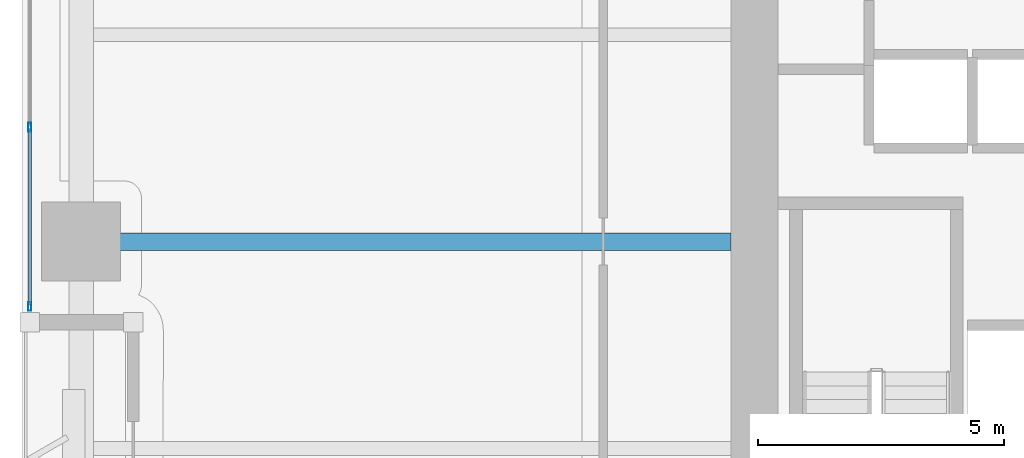
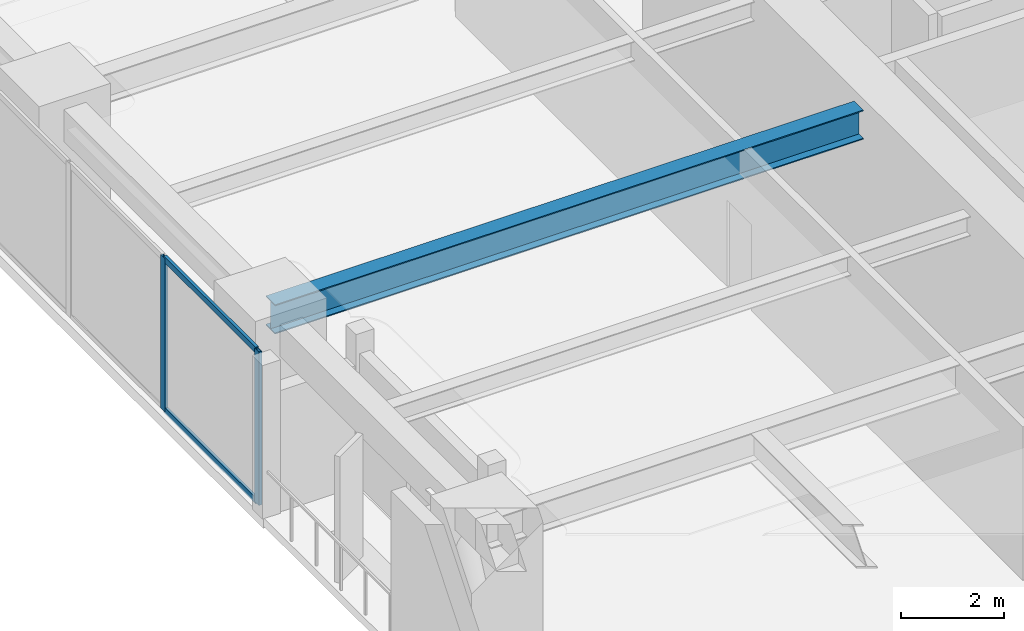
# One storey, part 2 of 29: 4 members, 1 beam, 1 element without a shape of its own.
"""IFC4 building model written with IfcOpenShell, lengths in metres."""

from ifc_helpers import new_model, si_unit, direction, frame, origin, origin_2d, place, context, subcontext, project, spatial, hollow_rectangle, i_section, extrude, material, layer, layer_set, material_profile, profile_set, type_object, element, aggregate, save


model = new_model("IFC4")

# Units and contexts
model_context = context("Model", 3, precision=1e-05, world=origin(), true_north=direction((0.0, 1.0)))
body_context = subcontext(model_context, "Body", "Model", "MODEL_VIEW")
ifc_project = project(units=[si_unit("LENGTHUNIT", "METRE"), si_unit("AREAUNIT", "SQUARE_METRE"), si_unit("VOLUMEUNIT", "CUBIC_METRE"), si_unit("PLANEANGLEUNIT", "RADIAN"), si_unit("MASSUNIT", "GRAM", prefix="KILO")], contexts=[model_context])

# Site, building, storey
site_placement = place(None, origin())
site = spatial("IfcSite", under=ifc_project, at=site_placement, CompositionType="ELEMENT")
building_placement = place(site_placement, origin())
building = spatial("IfcBuilding", under=site, at=building_placement, Name="Kiyonajd Concourse Tower", CompositionType="ELEMENT")
storey_placement = place(building_placement, frame((0.0, 0.0, 48.89990234375)))
storey = spatial("IfcBuildingStorey", under=building, at=storey_placement, Name="L13", CompositionType="ELEMENT", Elevation=48.89990234375)

# Beam
ifc_material_1 = material(Name="Steel ASTM A992 Grade 50", Category="steel")
ifc_material_profile_1 = material_profile(ifc_material_1, i_section(OverallWidth=0.35498046875, OverallDepth=0.695068359375, WebThickness=0.015380859375, FlangeThickness=0.02490234375, at=origin_2d()), Name="W690X217")
ifc_profile_set_1 = profile_set([ifc_material_profile_1], Name="Steel ASTM A992 Grade 50")
beam_type = type_object("IfcBeamType", Name="BM-TWR-690", PredefinedType="BEAM", material=ifc_profile_set_1)
beam_placement = place(storey_placement, frame((19.199951171875, 36.0, 3.29248046875), z_axis=(1.0, 0.0, 0.0), x_axis=(0.0, 1.0, 0.0)))
element("IfcBeam", 1, at=beam_placement, inside=storey, type_object=beam_type, Name="L13 West Lease Girder", PredefinedType="BEAM", context=body_context, shape_type="SweptSolid", body=[
    extrude(i_section(OverallWidth=0.35498046875, OverallDepth=0.695068359375, WebThickness=0.015380859375, FlangeThickness=0.02490234375, at=origin_2d()), origin(), (0.0, 0.0, 1.0), 13.199951171875),
])

# Curtain wall, members
ifc_material_2 = material(Name="Thermally Broken Anodised Aluminium", Category="aluminium")
ifc_layer = layer(ifc_material_2, 0.179931640625)
ifc_layer_set = layer_set([ifc_layer], Name="Thermally Broken Anodised Aluminium")
curtain_wall_type = type_object("IfcCurtainWallType", Name="CW-SYS-02", PredefinedType="NOTDEFINED", material=ifc_layer_set)
curtain_wall_placement = place(storey_placement, origin())
curtain_wall = element("IfcCurtainWall", 2, at=curtain_wall_placement, inside=storey, type_object=curtain_wall_type, Name="L13 Unitised Curtain Wall CW2", PredefinedType="NOTDEFINED")
ifc_material_profile_2 = material_profile(ifc_material_2, hollow_rectangle(XDim=0.06494140625, YDim=0.179931640625, WallThickness=0.00390625, at=origin_2d()), Name="MULL-65x180")
ifc_profile_set_2 = profile_set([ifc_material_profile_2], Name="Thermally Broken Anodised Aluminium")
member_type_1 = type_object("IfcMemberType", Name="MB-CW-MULL1", PredefinedType="MULLION", material=ifc_profile_set_2)
member_1_placement = place(storey_placement, frame((18.159912109375, 34.6826171875, 0.0), z_axis=(0.0, 0.0, 1.0), x_axis=(-1.0, 0.0, 0.0)))
member_1 = element("IfcMember", 3, at=member_1_placement, type_object=member_type_1, Name="CW2 mullion 1", PredefinedType="MULLION", context=body_context, shape_type="SweptSolid", body=[
    extrude(hollow_rectangle(XDim=0.06494140625, YDim=0.179931640625, WallThickness=0.00390625, at=origin_2d()), origin(), (0.0, 0.0, 1.0), 3.64013671875),
])
member_2_placement = place(storey_placement, frame((18.159912109375, 38.3232421875, 0.0), z_axis=(0.0, 0.0, 1.0), x_axis=(-1.0, 0.0, 0.0)))
member_2 = element("IfcMember", 4, at=member_2_placement, type_object=member_type_1, Name="CW2 mullion 2", PredefinedType="MULLION", context=body_context, shape_type="SweptSolid", body=[
    extrude(hollow_rectangle(XDim=0.06494140625, YDim=0.179931640625, WallThickness=0.00390625, at=origin_2d()), origin(), (0.0, 0.0, 1.0), 3.64013671875),
])
ifc_material_profile_3 = material_profile(ifc_material_2, hollow_rectangle(XDim=0.06494140625, YDim=0.139892578125, WallThickness=0.00390625, at=origin_2d()), Name="TRAN-65x140")
ifc_profile_set_3 = profile_set([ifc_material_profile_3], Name="Thermally Broken Anodised Aluminium")
member_type_2 = type_object("IfcMemberType", Name="MB-CW-TRAN1", PredefinedType="USERDEFINED", material=ifc_profile_set_3)
member_3_placement = place(storey_placement, frame((18.159912109375, 34.715087890625, 0.03271484375), z_axis=(0.0, 1.0, 0.0), x_axis=(-1.0, 0.0, 0.0)))
member_3 = element("IfcMember", 5, at=member_3_placement, type_object=member_type_2, Name="CW2 transom 1.1", ObjectType="TRANSOM", PredefinedType="USERDEFINED", context=body_context, shape_type="SweptSolid", body=[
    extrude(hollow_rectangle(XDim=0.06494140625, YDim=0.139892578125, WallThickness=0.00390625, at=origin_2d()), origin(), (0.0, 0.0, 1.0), 3.57568359375),
])
member_4_placement = place(storey_placement, frame((18.159912109375, 34.715087890625, 3.607666015625), z_axis=(0.0, 1.0, 0.0), x_axis=(-1.0, 0.0, 0.0)))
member_4 = element("IfcMember", 6, at=member_4_placement, type_object=member_type_2, Name="CW2 transom 1.2", ObjectType="TRANSOM", PredefinedType="USERDEFINED", context=body_context, shape_type="SweptSolid", body=[
    extrude(hollow_rectangle(XDim=0.06494140625, YDim=0.139892578125, WallThickness=0.00390625, at=origin_2d()), origin(), (0.0, 0.0, 1.0), 3.57568359375),
])
aggregate(curtain_wall, [member_1, member_2, member_3, member_4])

save(model, "model.ifc")
